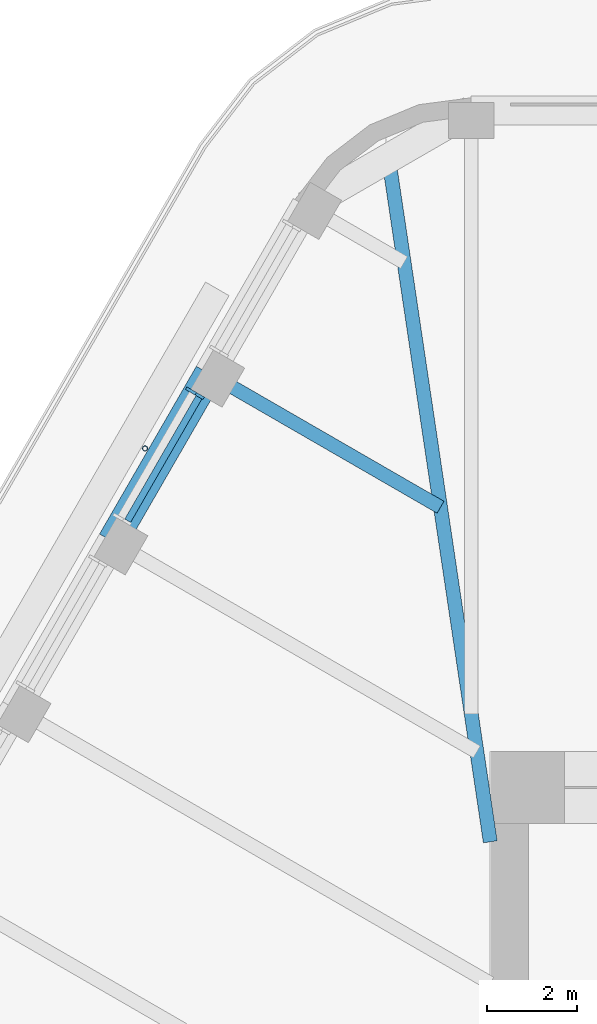
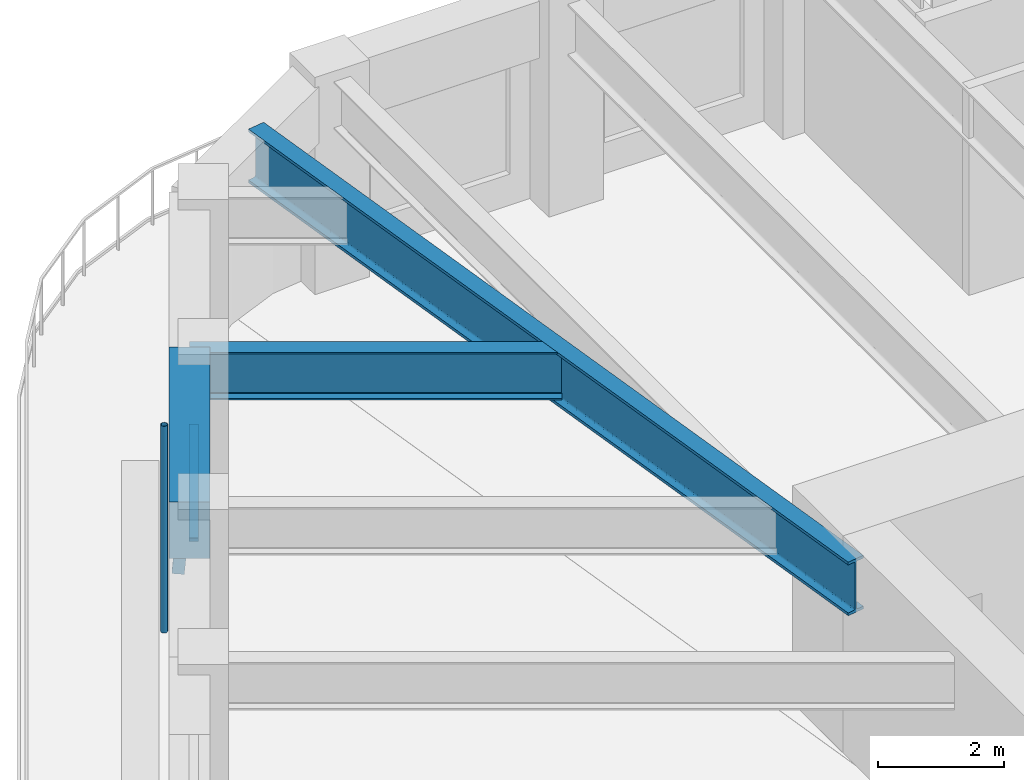
# One storey, part 8 of 19: 3 beams, 3 members, 1 element without a shape of its own.
"""IFC4 building model written with IfcOpenShell, lengths in metres."""

from ifc_helpers import new_model, si_unit, direction, frame, origin, origin_2d, place, context, subcontext, project, spatial, rectangle, hollow_circle, i_section, extrude, material, material_profile, profile_set, type_object, element, aggregate, save


model = new_model("IFC4")

# Units and contexts
model_context = context("Model", 3, precision=1e-05, world=origin(), true_north=direction((0.0, 1.0)))
body_context = subcontext(model_context, "Body", "Model", "MODEL_VIEW")
ifc_project = project(units=[si_unit("LENGTHUNIT", "METRE"), si_unit("AREAUNIT", "SQUARE_METRE"), si_unit("VOLUMEUNIT", "CUBIC_METRE"), si_unit("PLANEANGLEUNIT", "RADIAN"), si_unit("MASSUNIT", "GRAM", prefix="KILO")], contexts=[model_context])

# Site, building, storey
site_placement = place(None, origin())
site = spatial("IfcSite", under=ifc_project, at=site_placement, CompositionType="ELEMENT")
building_placement = place(site_placement, origin())
building = spatial("IfcBuilding", under=site, at=building_placement, Name="Tarfa Lantern Tower", CompositionType="ELEMENT")
storey_placement = place(building_placement, frame((0.0, 0.0, 332.5)))
storey = spatial("IfcBuildingStorey", under=building, at=storey_placement, Name="L75", CompositionType="ELEMENT", Elevation=332.5)

# Curtain wall, members
ifc_material_1 = material(Name="Aluminium framed curtain wall", Category="aluminium")
curtain_wall_type = type_object("IfcCurtainWallType", Name="CW4 CANTED GLAZING EXECUTIVE ZONE 2900", PredefinedType="USERDEFINED", material=ifc_material_1)
curtain_wall_placement = place(storey_placement, origin())
curtain_wall = element("IfcCurtainWall", 1, at=curtain_wall_placement, inside=storey, type_object=curtain_wall_type, Name="CW4 NW L75", ObjectType="CURTAIN WALL", PredefinedType="USERDEFINED")
ifc_material_2 = material(Name="Aluminium mullion", Category="aluminium")
ifc_material_profile_1 = material_profile(ifc_material_2, rectangle(XDim=0.06494140625, YDim=0.199951171875, at=origin_2d()), Name="AL MULLION 65x200")
ifc_profile_set_1 = profile_set([ifc_material_profile_1], Name="Aluminium mullion")
member_type_1 = type_object("IfcMemberType", Name="CWM1 MULLION 65x200", PredefinedType="MULLION", material=ifc_profile_set_1)
member_1_placement = place(storey_placement, frame((-19.063720703125, 20.280517578125, 0.0), z_axis=(0.074316405553, -0.042945823525, 0.996309554359), x_axis=(0.500342721131, 0.865827443207, 0.0)))
member_1 = element("IfcMember", 2, at=member_1_placement, type_object=member_type_1, Name="CW4 mullion 1", PredefinedType="MULLION", context=body_context, shape_type="SweptSolid", body=[
    extrude(rectangle(XDim=0.06494140625, YDim=0.199951171875, at=origin_2d()), origin(), (0.0, 0.0, 1.0), 2.91064453125),
])
ifc_material_3 = material(Name="Aluminium transom", Category="aluminium")
ifc_material_profile_2 = material_profile(ifc_material_3, rectangle(XDim=0.14990234375, YDim=0.06494140625, at=origin_2d()), Name="AL TRANSOM 150x65")
ifc_profile_set_2 = profile_set([ifc_material_profile_2], Name="Aluminium transom")
member_type_2 = type_object("IfcMemberType", Name="CWT1 TRANSOM 150x65", PredefinedType="USERDEFINED", material=ifc_profile_set_2)
member_2_placement = place(storey_placement, frame((-18.865966796875, 20.128662109375, 2.867431640625), z_axis=(-0.499979472441, -0.866037255052, 0.0), x_axis=(0.866037255052, -0.499979472441, 0.0)))
member_2 = element("IfcMember", 3, at=member_2_placement, type_object=member_type_2, Name="CW4 transom 1.2", ObjectType="TRANSOM", PredefinedType="USERDEFINED", context=body_context, shape_type="SweptSolid", body=[
    extrude(rectangle(XDim=0.14990234375, YDim=0.06494140625, at=origin_2d()), origin(), (0.0, 0.0, 1.0), 3.152099609375),
])
aggregate(curtain_wall, [member_1, member_2])

# Beam
ifc_material_4 = material(Name="Concrete C80/95", Category="concrete")
ifc_material_profile_3 = material_profile(ifc_material_4, rectangle(XDim=0.64990234375, YDim=1.10009765625, at=origin_2d()), Name="RC 650x1100")
ifc_profile_set_3 = profile_set([ifc_material_profile_3], Name="Concrete C80/95")
beam_type_1 = type_object("IfcBeamType", Name="EB4 RC 650x1100", PredefinedType="SPANDREL", material=ifc_profile_set_3)
beam_1_placement = place(storey_placement, frame((-18.6416015625, 20.651611328125, 3.449951171875), z_axis=(-0.500026801138, -0.866009929587, 0.0), x_axis=(0.866009929587, -0.500026801138, 0.0)))
element("IfcBeam", 4, at=beam_1_placement, inside=storey, type_object=beam_type_1, Name="Edge beam NW1", PredefinedType="SPANDREL", context=body_context, shape_type="SweptSolid", body=[
    extrude(rectangle(XDim=0.64990234375, YDim=1.10009765625, at=origin_2d()), origin(), (0.0, 0.0, 1.0), 4.281982421875),
])

# Member
ifc_material_5 = material(Name="Steel S355", Category="steel")
ifc_material_profile_4 = material_profile(ifc_material_5, hollow_circle(Radius=0.05712890625, WallThickness=0.00634765625, at=origin_2d()), Name="CHS114.3x6.3")
ifc_profile_set_4 = profile_set([ifc_material_profile_4], Name="Steel S355")
member_type_3 = type_object("IfcMemberType", Name="TR1 GREEN WALL TRELLIS CHS114.3x6.3", PredefinedType="USERDEFINED", material=ifc_profile_set_4)
member_3_placement = place(storey_placement, frame((-20.05859375, 18.99755859375, 0.0), z_axis=(0.0, 0.0, 1.0), x_axis=(1.0, 0.0, 0.0)))
element("IfcMember", 5, at=member_3_placement, inside=storey, type_object=member_type_3, Name="Trellis post NW 1", ObjectType="TRELLIS", PredefinedType="USERDEFINED", context=body_context, shape_type="SweptSolid", body=[
    extrude(hollow_circle(Radius=0.05712890625, WallThickness=0.00634765625, at=origin_2d()), origin(), (0.0, 0.0, 1.0), 4.0),
])

# Beams
ifc_material_6 = material(Name="Steel S460M", Category="steel")
ifc_material_profile_5 = material_profile(ifc_material_6, i_section(OverallWidth=0.30859375, OverallDepth=1.036376953125, WebThickness=0.030029296875, FlangeThickness=0.05419921875, FilletRadius=0.030029296875, at=origin_2d()), Name="UB1016x305x487")
ifc_profile_set_5 = profile_set([ifc_material_profile_5], Name="Steel S460M")
beam_type_2 = type_object("IfcBeamType", Name="UB1016x305x487", PredefinedType="BEAM", material=ifc_profile_set_5)
beam_2_placement = place(storey_placement, frame((-12.425048828125, 10.300048828125, 3.48193359375), z_axis=(-0.147127069073, 0.989117599452, 0.0), x_axis=(-0.989117599452, -0.147127069073, 0.0)))
element("IfcBeam", 6, at=beam_2_placement, inside=storey, type_object=beam_type_2, Name="Hip girder NW", PredefinedType="BEAM", context=body_context, shape_type="SweptSolid", body=[
    extrude(i_section(OverallWidth=0.30859375, OverallDepth=1.036376953125, WebThickness=0.030029296875, FlangeThickness=0.05419921875, FilletRadius=0.030029296875, at=origin_2d()), origin(), (0.0, 0.0, 1.0), 15.28125),
])
ifc_material_profile_6 = material_profile(ifc_material_6, i_section(OverallWidth=0.305419921875, OverallDepth=0.91845703125, WebThickness=0.017333984375, FlangeThickness=0.02783203125, FilletRadius=0.01904296875, at=origin_2d()), Name="UB914x305x253")
ifc_profile_set_6 = profile_set([ifc_material_profile_6], Name="Steel S460M")
beam_type_3 = type_object("IfcBeamType", Name="UB914x305x253", PredefinedType="BEAM", material=ifc_profile_set_6)
beam_3_placement = place(storey_placement, frame((-18.6416015625, 20.651611328125, 3.540771484375), z_axis=(0.866024549157, -0.500001480256, 0.0), x_axis=(0.500001480256, 0.866024549157, 0.0)))
element("IfcBeam", 7, at=beam_3_placement, inside=storey, type_object=beam_type_3, Name="Floor beam NW1", PredefinedType="BEAM", context=body_context, shape_type="SweptSolid", body=[
    extrude(i_section(OverallWidth=0.305419921875, OverallDepth=0.91845703125, WebThickness=0.017333984375, FlangeThickness=0.02783203125, FilletRadius=0.01904296875, at=origin_2d()), origin(), (0.0, 0.0, 1.0), 5.90771484375),
])

save(model, "model.ifc")
